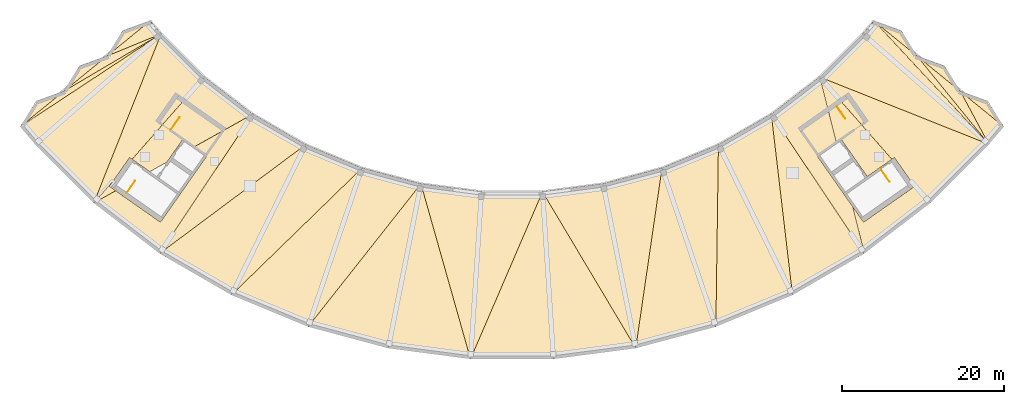
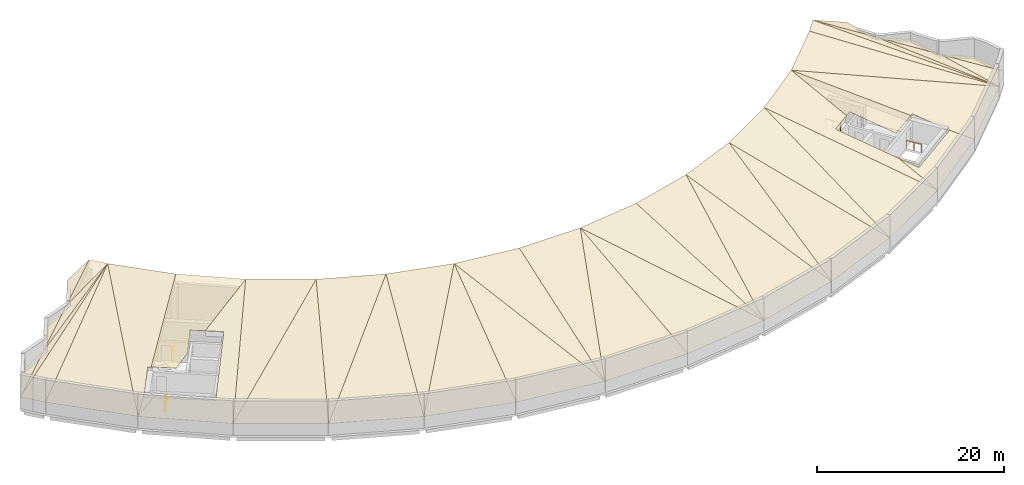
# One storey, part 6 of 6: 42 coverings, 4 railings.
"""IFC4 building model written with IfcOpenShell, lengths in metres."""

import ifcopenshell
import ifcopenshell.guid

model = None  # the IFC model being written
_history = None  # IfcOwnerHistory: only IFC2X3 demands one
_inside = {}  # id of a spatial element -> (the spatial element, [elements in it])
_under = {}  # id of a project, library or spatial element -> (it, [spatial elements below it])
_declared = {}  # id of a project -> (the project, [libraries it declares])
_typed = {}  # id of a type object -> (the type object, [elements of that type])
_made_of = {}  # id of a material, layer set ... -> (it, [elements and type objects made of it])


def new_model(schema):
    """Start an empty IFC model of exactly this schema.

    Asked for "IFC4X3", IfcOpenShell would pick the latest addendum, in which some entities
    have other attributes; the version numbers below select the first issue.
    IFC2X3 requires an IfcOwnerHistory on every rooted entity: one is made here for all.
    """
    global model, _history
    if schema == "IFC4X3":
        model = ifcopenshell.file(schema_version=(4, 3, 0, 0))
    else:
        model = ifcopenshell.file(schema=schema)
    _inside.clear()
    _under.clear()
    _declared.clear()
    _typed.clear()
    _made_of.clear()
    _history = None
    if model.schema == "IFC2X3":
        org = make("IfcOrganization", Name="unknown")
        user = make(
            "IfcPersonAndOrganization",
            ThePerson=make("IfcPerson", FamilyName="unknown"),
            TheOrganization=org,
        )
        app = make(
            "IfcApplication",
            ApplicationDeveloper=org,
            Version="unknown",
            ApplicationFullName="unknown",
            ApplicationIdentifier="unknown",
        )
        _history = make(
            "IfcOwnerHistory",
            OwningUser=user,
            OwningApplication=app,
            ChangeAction="ADDED",
            CreationDate=0,
        )
    return model


def make(cls, **values):
    """One entity of the class cls with the attributes given. An attribute that is None is left unset."""
    return model.create_entity(
        cls, **{name: value for name, value in values.items() if value is not None}
    )


def rooted(cls, **values):
    """An entity with a GlobalId (a new one), such as an element, a storey or a relation."""
    return make(cls, GlobalId=ifcopenshell.guid.new(), OwnerHistory=_history, **values)


def si_unit(unit_type, name, prefix=None):
    """IfcSIUnit, for example si_unit("LENGTHUNIT", "METRE", prefix="MILLI")."""
    return make("IfcSIUnit", UnitType=unit_type, Prefix=prefix, Name=name)


def assignment(units):
    """IfcUnitAssignment: the units of a project."""
    return None if units is None else make("IfcUnitAssignment", Units=units)


def point(xyz):
    """IfcCartesianPoint."""
    return None if xyz is None else make("IfcCartesianPoint", Coordinates=xyz)


def direction(xyz):
    """IfcDirection."""
    return None if xyz is None else make("IfcDirection", DirectionRatios=xyz)


def frame(location, z_axis=None, x_axis=None):
    """IfcAxis2Placement3D, a coordinate frame: its origin and axes. An axis left out is left unset."""
    return make(
        "IfcAxis2Placement3D",
        Location=point(location),
        Axis=direction(z_axis),
        RefDirection=direction(x_axis),
    )


def frame_2d(location, x_axis=None):
    """IfcAxis2Placement2D, a coordinate frame in the plane: its origin and x axis."""
    return make(
        "IfcAxis2Placement2D", Location=point(location), RefDirection=direction(x_axis)
    )


def origin():
    """The frame at (0, 0, 0) with its axes left unset."""
    return frame((0.0, 0.0, 0.0))


def origin_2d():
    """The frame at (0, 0) in the plane with its x axis left unset."""
    return frame_2d((0.0, 0.0))


def place(relative_to, where):
    """IfcLocalPlacement: puts the frame where relative to a parent placement (None: the world)."""
    return make(
        "IfcLocalPlacement", PlacementRelTo=relative_to, RelativePlacement=where
    )


def context(
    kind, dimensions, precision=None, world=None, true_north=None, identifier=None
):
    """IfcGeometricRepresentationContext, for example the 3D "Model" context."""
    return make(
        "IfcGeometricRepresentationContext",
        ContextIdentifier=identifier,
        ContextType=kind,
        CoordinateSpaceDimension=dimensions,
        Precision=precision,
        WorldCoordinateSystem=world,
        TrueNorth=true_north,
    )


def subcontext(parent, identifier, kind, view, scale=None):
    """IfcGeometricRepresentationSubContext, for example "Body" below "Model"."""
    return make(
        "IfcGeometricRepresentationSubContext",
        ContextIdentifier=identifier,
        ContextType=kind,
        ParentContext=parent,
        TargetScale=scale,
        TargetView=view,
    )


def project(units=None, contexts=None):
    """IfcProject with its units and contexts."""
    return rooted(
        "IfcProject",
        Name="project",
        RepresentationContexts=contexts,
        UnitsInContext=assignment(units),
    )


def spatial(cls, under=None, at=None, **own):
    """A site, building, storey or space (cls), placed at a placement, below another one or the project."""
    s = rooted(cls, ObjectPlacement=at, **own)
    if under is not None:
        _under.setdefault(under.id(), (under, []))[1].append(s)
    return s


def polyline(points):
    """IfcPolyline through the points."""
    return make("IfcPolyline", Points=[point(p) for p in points])


def profile(cls, at=None, kind="AREA", **sizes):
    """A parametric profile (cls). Its sizes go by their IFC names, for example OverallWidth=200.0."""
    return make(cls, ProfileType=kind, Position=at, **sizes)


def circle(**sizes):
    """IfcCircleProfileDef."""
    return profile("IfcCircleProfileDef", **sizes)


def outline(outer, holes=None, kind="AREA"):
    """IfcArbitraryClosedProfileDef: a profile drawn as a closed curve; with holes, ...WithVoids."""
    if holes is None:
        return make("IfcArbitraryClosedProfileDef", ProfileType=kind, OuterCurve=outer)
    return make(
        "IfcArbitraryProfileDefWithVoids",
        ProfileType=kind,
        OuterCurve=outer,
        InnerCurves=holes,
    )


def extrude(swept, where, along, depth):
    """IfcExtrudedAreaSolid: the profile swept, set in the frame where, extruded along a direction by depth."""
    return make(
        "IfcExtrudedAreaSolid",
        SweptArea=swept,
        Position=where,
        ExtrudedDirection=direction(along),
        Depth=depth,
    )


def shape(context_of_items, identifier, shape_type, items):
    """IfcShapeRepresentation: the items that make up one representation, for example the "Body"."""
    return make(
        "IfcShapeRepresentation",
        ContextOfItems=context_of_items,
        RepresentationIdentifier=identifier,
        RepresentationType=shape_type,
        Items=items,
    )


def material(Name=None, Category=None):
    """IfcMaterial."""
    return make("IfcMaterial", Name=Name, Category=Category)


def layer(
    of_material, thickness, ventilated=None, Name=None, Category=None, Priority=None
):
    """IfcMaterialLayer: one layer of a wall or slab, of a material (None: an air gap)."""
    return make(
        "IfcMaterialLayer",
        Material=of_material,
        LayerThickness=thickness,
        IsVentilated=ventilated,
        Name=Name,
        Category=Category,
        Priority=Priority,
    )


def layer_set(layers, Name=None):
    """IfcMaterialLayerSet."""
    return make("IfcMaterialLayerSet", MaterialLayers=layers, LayerSetName=Name)


def made_of(thing, what):
    """Note that an element or type object is made of a material, layer set ...; save() writes the relation."""
    if what is not None:
        _made_of.setdefault(what.id(), (what, []))[1].append(thing)
    return thing


def type_object(cls, material=None, **own):
    """A type object (cls), such as IfcWallType, which elements share."""
    return made_of(rooted(cls, **own), material)


def element(
    cls,
    number,
    at=None,
    inside=None,
    cuts=None,
    type_object=None,
    material=None,
    context=None,
    identifier="Body",
    shape_type=None,
    held_by="IfcProductDefinitionShape",
    body=None,
    shapes=None,
    **own,
):
    """One element of the class cls, such as IfcWall. Its Tag is "e" and its number.

    at: its placement. inside: the storey or other place that contains it. cuts: it is an
    opening in that element (IfcRelVoidsElement). A single representation is given by context,
    identifier, shape_type and body (its items); several are given by shapes. held_by: the class
    of the entity that holds the representations. save() writes the other relations.
    """
    e = rooted(cls, Tag="e%d" % number, ObjectPlacement=at, **own)
    if body is not None:
        shapes = [shape(context, identifier, shape_type, body)]
    if shapes is not None:
        e.Representation = make(held_by, Representations=shapes)
    if inside is not None:
        _inside.setdefault(inside.id(), (inside, []))[1].append(e)
    if cuts is not None:
        rooted(
            "IfcRelVoidsElement", RelatingBuildingElement=cuts, RelatedOpeningElement=e
        )
    if type_object is not None:
        _typed.setdefault(type_object.id(), (type_object, []))[1].append(e)
    return made_of(e, material)


def aggregate(whole, parts):
    """IfcRelAggregates: a whole, such as a stair, and the parts it consists of."""
    return rooted("IfcRelAggregates", RelatingObject=whole, RelatedObjects=parts)


def save(model, path):
    """Write the relations noted so far, then the file.

    IfcRelAggregates (storeys below a building ...), IfcRelContainedInSpatialStructure (elements
    in a storey), IfcRelDefinesByType, IfcRelAssociatesMaterial and IfcRelDeclares: one each for
    every whole, place, type object, material and project.
    """
    for whole, parts in _under.values():
        aggregate(whole, parts)
    for where, things in _inside.values():
        rooted(
            "IfcRelContainedInSpatialStructure",
            RelatedElements=things,
            RelatingStructure=where,
        )
    for kind, things in _typed.values():
        rooted("IfcRelDefinesByType", RelatedObjects=things, RelatingType=kind)
    for what, things in _made_of.values():
        rooted("IfcRelAssociatesMaterial", RelatedObjects=things, RelatingMaterial=what)
    for by, libraries in _declared.values():
        rooted("IfcRelDeclares", RelatingContext=by, RelatedDefinitions=libraries)
    model.write(path)


model = new_model("IFC4")

# Units and contexts
model_context = context("Model", 3, precision=1e-05, world=origin(), true_north=direction((0.0, 1.0)))
body_context = subcontext(model_context, "Body", "Model", "MODEL_VIEW")
ifc_project = project(units=[si_unit("LENGTHUNIT", "METRE"), si_unit("AREAUNIT", "SQUARE_METRE"), si_unit("VOLUMEUNIT", "CUBIC_METRE"), si_unit("PLANEANGLEUNIT", "RADIAN"), si_unit("MASSUNIT", "GRAM", prefix="KILO")], contexts=[model_context])

# Site, building, storey
site_placement = place(None, origin())
site = spatial("IfcSite", under=ifc_project, at=site_placement, CompositionType="ELEMENT")
building_placement = place(site_placement, origin())
building = spatial("IfcBuilding", under=site, at=building_placement, Name="Qamariyya Broadcast Tower", CompositionType="ELEMENT")
storey_placement = place(building_placement, frame((0.0, 0.0, 318.699951171875)))
storey = spatial("IfcBuildingStorey", under=building, at=storey_placement, Name="Roof", CompositionType="ELEMENT", Elevation=318.699951171875)

# Railings
ifc_material_1 = material(Name="Painted steel", Category="steel")
railing_type = type_object("IfcRailingType", Name="Stair guard", PredefinedType="GUARDRAIL", material=ifc_material_1)
railing_1_placement = place(storey_placement, frame((-42.10546875, -49.806884765625, 0.0)))
element("IfcRailing", 1, at=railing_1_placement, inside=storey, type_object=railing_type, Name="Roof ST-W2 top well guard 1", PredefinedType="GUARDRAIL", context=body_context, shape_type="SweptSolid", body=[
    extrude(circle(Radius=0.02392578125, at=origin_2d()), frame((0.0, 0.0, 1.076171875), z_axis=(0.573553363558, 0.819168199548, 0.0), x_axis=(-0.819168199548, 0.573553363558, 0.0)), (0.0, 0.0, 1.0), 1.800048828125),
    extrude(circle(Radius=0.02099609375, at=origin_2d()), origin(), (0.0, 0.0, 1.0), 1.052001953125),
    extrude(circle(Radius=0.02099609375, at=origin_2d()), frame((0.51611328125, 0.7373046875, 0.0)), (0.0, 0.0, 1.0), 1.052001953125),
    extrude(circle(Radius=0.02099609375, at=origin_2d()), frame((1.032470703125, 1.474609375, 0.0)), (0.0, 0.0, 1.0), 1.052001953125),
])
railing_2_placement = place(storey_placement, frame((-47.5830078125, -57.629638671875, 0.0)))
element("IfcRailing", 2, at=railing_2_placement, inside=storey, type_object=railing_type, Name="Roof ST-W1 top well guard 1", PredefinedType="GUARDRAIL", context=body_context, shape_type="SweptSolid", body=[
    extrude(circle(Radius=0.02392578125, at=origin_2d()), frame((0.0, 0.0, 1.076171875), z_axis=(0.573617089972, 0.819123576813, 0.0), x_axis=(-0.819123576813, 0.573617089972, 0.0)), (0.0, 0.0, 1.0), 1.800048828125),
    extrude(circle(Radius=0.02099609375, at=origin_2d()), origin(), (0.0, 0.0, 1.0), 1.052001953125),
    extrude(circle(Radius=0.02099609375, at=origin_2d()), frame((0.51611328125, 0.7373046875, 0.0)), (0.0, 0.0, 1.0), 1.052001953125),
    extrude(circle(Radius=0.02099609375, at=origin_2d()), frame((1.032470703125, 1.474365234375, 0.0)), (0.0, 0.0, 1.0), 1.052001953125),
])
railing_3_placement = place(storey_placement, frame((40.12646484375, -46.980712890625, 0.0)))
element("IfcRailing", 3, at=railing_3_placement, inside=storey, type_object=railing_type, Name="Roof ST-E2 top well guard 1", PredefinedType="GUARDRAIL", context=body_context, shape_type="SweptSolid", body=[
    extrude(circle(Radius=0.02392578125, at=origin_2d()), frame((0.0, 0.0, 1.076171875), z_axis=(0.573553363558, -0.819168199548, 0.0), x_axis=(0.819168199548, 0.573553363558, 0.0)), (0.0, 0.0, 1.0), 1.800048828125),
    extrude(circle(Radius=0.02099609375, at=origin_2d()), origin(), (0.0, 0.0, 1.0), 1.052001953125),
    extrude(circle(Radius=0.02099609375, at=origin_2d()), frame((0.51611328125, -0.7373046875, 0.0)), (0.0, 0.0, 1.0), 1.052001953125),
    extrude(circle(Radius=0.02099609375, at=origin_2d()), frame((1.032470703125, -1.474609375, 0.0)), (0.0, 0.0, 1.0), 1.052001953125),
])
railing_4_placement = place(storey_placement, frame((45.604248046875, -54.8037109375, 0.0)))
element("IfcRailing", 4, at=railing_4_placement, inside=storey, type_object=railing_type, Name="Roof ST-E1 top well guard 1", PredefinedType="GUARDRAIL", context=body_context, shape_type="SweptSolid", body=[
    extrude(circle(Radius=0.02392578125, at=origin_2d()), frame((0.0, 0.0, 1.076171875), z_axis=(0.573617089972, -0.819123576813, 0.0), x_axis=(0.819123576813, 0.573617089972, 0.0)), (0.0, 0.0, 1.0), 1.800048828125),
    extrude(circle(Radius=0.02099609375, at=origin_2d()), origin(), (0.0, 0.0, 1.0), 1.052001953125),
    extrude(circle(Radius=0.02099609375, at=origin_2d()), frame((0.51611328125, -0.7373046875, 0.0)), (0.0, 0.0, 1.0), 1.052001953125),
    extrude(circle(Radius=0.02099609375, at=origin_2d()), frame((1.032470703125, -1.474365234375, 0.0)), (0.0, 0.0, 1.0), 1.052001953125),
])

# Coverings
ifc_material_2 = material(Name="Zinc standing seam roofing")
ifc_layer = layer(ifc_material_2, 0.0400390625)
ifc_layer_set = layer_set([ifc_layer], Name="Standing seam zinc roofing, terracotta toned")
covering_type = type_object("IfcCoveringType", Name="Standing seam zinc roofing, terracotta toned", PredefinedType="ROOFING", material=ifc_layer_set)
covering_1_placement = place(storey_placement, frame((-58.822509765625, -46.367431640625, 2.2734375), z_axis=(-0.162172904329, -0.130102615524, 0.978147871508), x_axis=(-0.515298200847, -0.834205156408, -0.196391245286)))
element("IfcCovering", 5, at=covering_1_placement, inside=storey, type_object=covering_type, Name="e-cv-Roof-00", PredefinedType="ROOFING", context=body_context, shape_type="SweptSolid", body=[
    extrude(outline(polyline([(0.0, 0.0), (3.7343743934790465, -2.636779683484747e-16), (-2.9454752706163805, 2.2667066322327543), (0.0, 0.0)])), origin(), (0.0, 0.0, -1.0), 0.0400390625),
])
covering_2_placement = place(storey_placement, frame((-53.471923828125, -42.009033203125, 3.739990234375), z_axis=(-0.162368536659, -0.129899059878, 0.978142470475), x_axis=(-0.515405922879, -0.834152395853, -0.19633266451)))
element("IfcCovering", 6, at=covering_2_placement, inside=storey, type_object=covering_type, Name="e-cv-Roof-01", PredefinedType="ROOFING", context=body_context, shape_type="SweptSolid", body=[
    extrude(outline(polyline([(0.0, 0.0), (3.735488637765223, 1.1102230246251565e-16), (-2.9449988872346964, 2.266030244595668), (0.0, 0.0)])), origin(), (0.0, 0.0, -1.0), 0.0400390625),
])
covering_3_placement = place(storey_placement, frame((-48.12109375, -37.650634765625, 5.20654296875), z_axis=(-0.162534049653, -0.129650199, 0.978147999335), x_axis=(-0.515548278266, -0.834090465408, -0.196221987279)))
element("IfcCovering", 7, at=covering_3_placement, inside=storey, type_object=covering_type, Name="e-cv-Roof-02", PredefinedType="ROOFING", context=body_context, shape_type="SweptSolid", body=[
    extrude(outline(polyline([(0.0, 0.0), (3.736351399964874, -2.1510571102112408e-16), (-2.9442139360476536, 2.265173162552668), (0.0, 0.0)])), origin(), (0.0, 0.0, -1.0), 0.0400390625),
])
covering_4_placement = place(storey_placement, frame((-60.746826171875, -49.482666015625, 1.5400390625), z_axis=(-0.15881237007, -0.134234477202, 0.978140959291), x_axis=(0.645535170097, -0.763730544216, 0.0)))
element("IfcCovering", 8, at=covering_4_placement, inside=storey, type_object=covering_type, Name="e-cv-Roof-03", PredefinedType="ROOFING", context=body_context, shape_type="SweptSolid", body=[
    extrude(outline(polyline([(0.0, 0.0), (2.850484335886592, 0.0), (2.4733696250297204, 21.1591818069154), (0.0, 0.0)])), origin(), (0.0, 0.0, -1.0), 0.0400390625),
])
covering_5_placement = place(storey_placement, frame((-43.343505859375, -38.01123046875, 5.93994140625), z_axis=(-0.158799763851, -0.134233118476, 0.978143192434), x_axis=(-0.645561248047, 0.763708501341, 0.0)))
element("IfcCovering", 9, at=covering_5_placement, inside=storey, type_object=covering_type, Name="e-cv-Roof-04", PredefinedType="ROOFING", context=body_context, shape_type="SweptSolid", body=[
    extrude(outline(polyline([(0.0, 0.0), (2.0974058005285023, -2.220446049250313e-16), (2.223077330807058, 7.053025544513394), (0.0, 0.0)])), origin(), (0.0, 0.0, -1.0), 0.0400390625),
])
covering_6_placement = place(storey_placement, frame((-43.343505859375, -38.01123046875, 5.93994140625), z_axis=(-0.158759482269, -0.134327678363, 0.978136749956), x_axis=(-0.90652911684, -0.372661082738, -0.198314592842)))
element("IfcCovering", 10, at=covering_6_placement, inside=storey, type_object=covering_type, Name="e-cv-Roof-05", PredefinedType="ROOFING", context=body_context, shape_type="SweptSolid", body=[
    extrude(outline(polyline([(0.0, 0.0), (7.395082295032741, 5.134781488891349e-16), (14.159791020124553, 2.0006305270510523), (0.0, 0.0)])), origin(), (0.0, 0.0, -1.0), 0.0400390625),
])
covering_7_placement = place(storey_placement, frame((-60.746826171875, -49.482666015625, 1.5400390625), z_axis=(-0.158842601475, -0.134189117486, 0.978142274265), x_axis=(0.816932577987, 0.538482843862, 0.206536655077)))
element("IfcCovering", 11, at=covering_7_placement, inside=storey, type_object=covering_type, Name="e-cv-Roof-06", PredefinedType="ROOFING", context=body_context, shape_type="SweptSolid", body=[
    extrude(outline(polyline([(0.0, 0.0), (21.303251677622345, -1.0547118733938987e-15), (7.019695462886616, 0.69442501384441), (0.0, 0.0)])), origin(), (0.0, 0.0, -1.0), 0.0400390625),
])
covering_8_placement = place(storey_placement, frame((-43.343505859375, -38.01123046875, 5.93994140625), z_axis=(-0.147316328728, -0.147316328728, 0.978057155068), x_axis=(-0.735414125188, -0.644933742051, -0.207909915198)))
element("IfcCovering", 12, at=covering_8_placement, inside=storey, type_object=covering_type, Name="e-cv-Roof-07", PredefinedType="ROOFING", context=body_context, shape_type="SweptSolid", body=[
    extrude(outline(polyline([(0.0, 0.0), (21.16254214982794, -1.0130785099704553e-15), (20.50682445133023, 10.22790743644635), (0.0, 0.0)])), origin(), (0.0, 0.0, -1.0), 0.0400390625),
])
covering_9_placement = place(storey_placement, frame((-43.343505859375, -38.011474609375, 5.93994140625), z_axis=(-0.147327329052, -0.147312927774, 0.978056010372), x_axis=(-0.362897037703, -0.9118336726, -0.192002847739)))
element("IfcCovering", 13, at=covering_9_placement, inside=storey, type_object=covering_type, Name="e-cv-Roof-08", PredefinedType="ROOFING", context=body_context, shape_type="SweptSolid", body=[
    extrude(outline(polyline([(0.0, 0.0), (22.915398174634397, -5.551115123125783e-16), (19.305136780994335, 1.2549496932902364), (15.90319947696586, 2.0441442838046107), (15.985016335749386, 2.409426980002241), (2.926947291541576, 6.949395228981738), (0.0, 0.0)])), origin(), (0.0, 0.0, -1.0), 0.0400390625),
])
covering_10_placement = place(storey_placement, frame((-43.529052734375, -65.1455078125, 1.5400390625), z_axis=(-0.126836325689, -0.165289956847, 0.978055098985), x_axis=(0.543434580858, 0.813294749514, 0.207919471767)))
element("IfcCovering", 14, at=covering_10_placement, inside=storey, type_object=covering_type, Name="e-cv-Roof-09", PredefinedType="ROOFING", context=body_context, shape_type="SweptSolid", body=[
    extrude(outline(polyline([(0.0, 0.0), (21.162550619471112, 6.800116025829084e-16), (13.45135933192495, 3.8458054163578397), (13.412631454234106, 1.850697225576916), (7.790799063009091, 1.9705229511105966), (3.344669251424141, 2.0656222764250356), (3.4752272733807064, 8.821197690784956), (0.6558322539284802, 10.227321730259572), (0.0, 0.0)])), origin(), (0.0, 0.0, -1.0), 0.0400390625),
])
covering_11_placement = place(storey_placement, frame((-49.194580078125, -56.095458984375, 2.334716796875), z_axis=(-0.126873804938, -0.165252471505, 0.978056572128), x_axis=(-0.644882380669, -0.735457104358, -0.207917201673)))
element("IfcCovering", 15, at=covering_11_placement, inside=storey, type_object=covering_type, Name="e-cv-Roof-10", PredefinedType="ROOFING", context=body_context, shape_type="SweptSolid", body=[
    extrude(outline(polyline([(0.0, 0.0), (3.82215725250531, 9.194034422677078e-17), (0.8463801548801774, 1.0348544612478257), (0.9482311322381447, 0.10161816394217096), (0.0, 0.0)])), origin(), (0.0, 0.0, -1.0), 0.0400390625),
])
covering_12_placement = place(storey_placement, frame((-32.028564453125, -47.93408203125, 5.93994140625), z_axis=(-0.126817923437, -0.165295371735, 0.978056570132), x_axis=(-0.793371798092, 0.608737373529, 7.8794e-06)))
element("IfcCovering", 16, at=covering_12_placement, inside=storey, type_object=covering_type, Name="e-cv-Roof-11", PredefinedType="ROOFING", context=body_context, shape_type="SweptSolid", body=[
    extrude(outline(polyline([(0.0, 0.0), (7.541127470335922, 8.881784197001252e-16), (8.4257920501456, 13.796443289948781), (5.761229751949876, 13.677898424120192), (4.803343468287453, 11.403620164602716), (4.948371573102419, 8.01276530719351), (3.3448912782642255, 7.941309256345475), (0.0, 0.0)])), origin(), (0.0, 0.0, -1.0), 0.0400390625),
])
covering_13_placement = place(storey_placement, frame((-43.52880859375, -65.145751953125, 1.5400390625), z_axis=(-0.104168404346, -0.180424897403, 0.97805715576), x_axis=(0.866025318025, -0.50000014854, 0.0)))
element("IfcCovering", 17, at=covering_13_placement, inside=storey, type_object=covering_type, Name="e-cv-Roof-12", PredefinedType="ROOFING", context=body_context, shape_type="SweptSolid", body=[
    extrude(outline(polyline([(0.0, 0.0), (10.248532111616235, 0.0), (8.894513100472548, 21.11918521981607), (0.0, 0.0)])), origin(), (0.0, 0.0, -1.0), 0.0400390625),
])
covering_14_placement = place(storey_placement, frame((-43.52880859375, -65.145751953125, 1.5400390625), z_axis=(-0.104166289565, -0.18042764227, 0.978056874636), x_axis=(0.786827786569, 0.586546480753, 0.192003281739)))
element("IfcCovering", 18, at=covering_14_placement, inside=storey, type_object=covering_type, Name="e-cv-Roof-13", PredefinedType="ROOFING", context=body_context, shape_type="SweptSolid", body=[
    extrude(outline(polyline([(0.0, 0.0), (22.9157663551402, -1.4988010832439613e-15), (19.988808552244127, 6.949493939397727), (0.0, 0.0)])), origin(), (0.0, 0.0, -1.0), 0.0400390625),
])
covering_15_placement = place(storey_placement, frame((-34.6533203125, -70.27001953125, 1.5400390625), z_axis=(-0.079725868424, -0.192480599793, 0.978056749175), x_axis=(0.923883276933, -0.382674392405, 0.0)))
element("IfcCovering", 19, at=covering_15_placement, inside=storey, type_object=covering_type, Name="e-cv-Roof-14", PredefinedType="ROOFING", context=body_context, shape_type="SweptSolid", body=[
    extrude(outline(polyline([(0.0, 0.0), (10.248595353737198, 0.0), (8.895015247900195, 21.118991731601486), (0.0, 0.0)])), origin(), (0.0, 0.0, -1.0), 0.0400390625),
])
covering_16_placement = place(storey_placement, frame((-34.6533203125, -70.27001953125, 1.5400390625), z_axis=(-0.079730235928, -0.192476249275, 0.978057249318), x_axis=(0.703546306545, 0.684220277197, 0.192003142732)))
element("IfcCovering", 20, at=covering_16_placement, inside=storey, type_object=covering_type, Name="e-cv-Roof-15", PredefinedType="ROOFING", context=body_context, shape_type="SweptSolid", body=[
    extrude(outline(polyline([(0.0, 0.0), (22.91578294581769, -3.0531133177191805e-15), (19.98879733714135, 6.949916031588225), (0.0, 0.0)])), origin(), (0.0, 0.0, -1.0), 0.0400390625),
])
covering_17_placement = place(storey_placement, frame((-25.184814453125, -74.19189453125, 1.5400390625), z_axis=(-0.053922715221, -0.20123867987, 0.978056917826), x_axis=(0.965924658148, -0.258823404626, 0.0)))
element("IfcCovering", 21, at=covering_17_placement, inside=storey, type_object=covering_type, Name="e-cv-Roof-16", PredefinedType="ROOFING", context=body_context, shape_type="SweptSolid", body=[
    extrude(outline(polyline([(0.0, 0.0), (10.24863997310439, 0.0), (8.894666117765675, 21.11907198966546), (0.0, 0.0)])), origin(), (0.0, 0.0, -1.0), 0.0400390625),
])
covering_18_placement = place(storey_placement, frame((-11.2470703125, -56.542236328125, 5.93994140625), z_axis=(-0.0539204283, -0.201240427611, 0.978056684302), x_axis=(-0.965927964314, 0.258811065753, 0.0)))
element("IfcCovering", 22, at=covering_18_placement, inside=storey, type_object=covering_type, Name="e-cv-Roof-17", PredefinedType="ROOFING", context=body_context, shape_type="SweptSolid", body=[
    extrude(outline(polyline([(0.0, 0.0), (7.540868280014111, 0.0), (8.894929975166153, 21.11896085957099), (0.0, 0.0)])), origin(), (0.0, 0.0, -1.0), 0.0400390625),
])
covering_19_placement = place(storey_placement, frame((-11.2470703125, -56.542236328125, 5.93994140625), z_axis=(-0.02719171055, -0.206555757091, 0.978056915568), x_axis=(-0.190825442201, -0.959353250863, -0.207911016223)))
element("IfcCovering", 23, at=covering_19_placement, inside=storey, type_object=covering_type, Name="e-cv-Roof-18", PredefinedType="ROOFING", context=body_context, shape_type="SweptSolid", body=[
    extrude(outline(polyline([(0.0, 0.0), (21.16243008034788, -3.5388358909926865e-16), (20.506702921433025, 10.22780230760677), (0.0, 0.0)])), origin(), (0.0, 0.0, -1.0), 0.0400390625),
])
covering_20_placement = place(storey_placement, frame((-5.124267578125, -78.18212890625, 1.5400390625), z_axis=(-0.027195563713, -0.206556781534, 0.978056592083), x_axis=(0.063970403361, 0.976053377162, 0.207912463368)))
element("IfcCovering", 24, at=covering_20_placement, inside=storey, type_object=covering_type, Name="e-cv-Roof-19", PredefinedType="ROOFING", context=body_context, shape_type="SweptSolid", body=[
    extrude(outline(polyline([(0.0, 0.0), (21.16228278229437, -8.326672684688674e-17), (21.644806606559182, 7.525632977766596), (0.0, 0.0)])), origin(), (0.0, 0.0, -1.0), 0.0400390625),
])
covering_21_placement = place(storey_placement, frame((-5.124267578125, -78.18212890625, 1.5400390625), z_axis=(0.0, -0.208339184482, 0.978056636504), x_axis=(1.0, 0.0, 0.0)))
element("IfcCovering", 25, at=covering_21_placement, inside=storey, type_object=covering_type, Name="e-cv-Roof-20", PredefinedType="ROOFING", context=body_context, shape_type="SweptSolid", body=[
    extrude(outline(polyline([(0.0, 0.0), (10.24853515625, 0.0), (8.894775390625, 21.118938113805996), (0.0, 0.0)])), origin(), (0.0, 0.0, -1.0), 0.0400390625),
])
covering_22_placement = place(storey_placement, frame((-5.124267578125, -78.18212890625, 1.5400390625), z_axis=(0.0, -0.208339184482, 0.978056636504), x_axis=(0.388153035387, 0.901372040702, 0.19200433683)))
element("IfcCovering", 26, at=covering_22_placement, inside=storey, type_object=covering_type, Name="e-cv-Roof-21", PredefinedType="ROOFING", context=body_context, shape_type="SweptSolid", body=[
    extrude(outline(polyline([(0.0, 0.0), (22.91564042972476, -1.2212453270876722e-15), (19.988572324983412, 6.9497617920832395), (0.0, 0.0)])), origin(), (0.0, 0.0, -1.0), 0.0400390625),
])
covering_23_placement = place(storey_placement, frame((3.7705078125, -57.526611328125, 5.93994140625), z_axis=(0.027191878587, -0.206557033546, 0.978056641321), x_axis=(0.063970403361, -0.976053377162, -0.207912463368)))
element("IfcCovering", 27, at=covering_23_placement, inside=storey, type_object=covering_type, Name="e-cv-Roof-22", PredefinedType="ROOFING", context=body_context, shape_type="SweptSolid", body=[
    extrude(outline(polyline([(0.0, 0.0), (21.16228278229437, -1.249000902703301e-16), (20.506680178392003, 10.227810292344172), (0.0, 0.0)])), origin(), (0.0, 0.0, -1.0), 0.0400390625),
])
covering_24_placement = place(storey_placement, frame((15.285400390625, -76.844482421875, 1.5400390625), z_axis=(0.02719533531, -0.206555046758, 0.978056964801), x_axis=(-0.190825442201, 0.959353250863, 0.207911016223)))
element("IfcCovering", 28, at=covering_24_placement, inside=storey, type_object=covering_type, Name="e-cv-Roof-23", PredefinedType="ROOFING", context=body_context, shape_type="SweptSolid", body=[
    extrude(outline(polyline([(0.0, 0.0), (21.16243008034788, 4.649058915617843e-16), (21.64478506923338, 7.5256438011460896), (0.0, 0.0)])), origin(), (0.0, 0.0, -1.0), 0.0400390625),
])
covering_25_placement = place(storey_placement, frame((15.285400390625, -76.844482421875, 1.5400390625), z_axis=(0.053922955777, -0.20123957762, 0.978056719848), x_axis=(0.965924658148, 0.258823404626, 0.0)))
element("IfcCovering", 29, at=covering_25_placement, inside=storey, type_object=covering_type, Name="e-cv-Roof-24", PredefinedType="ROOFING", context=body_context, shape_type="SweptSolid", body=[
    extrude(outline(polyline([(0.0, 0.0), (10.24863997310439, 4.440892098500626e-16), (8.894842134737573, 21.11897777533759), (0.0, 0.0)])), origin(), (0.0, 0.0, -1.0), 0.0400390625),
])
covering_26_placement = place(storey_placement, frame((15.285400390625, -76.844482421875, 1.5400390625), z_axis=(0.053920101381, -0.201239207493, 0.97805695337), x_axis=(0.141632376913, 0.971120386672, 0.192003813505)))
element("IfcCovering", 30, at=covering_26_placement, inside=storey, type_object=covering_type, Name="e-cv-Roof-25", PredefinedType="ROOFING", context=body_context, shape_type="SweptSolid", body=[
    extrude(outline(polyline([(0.0, 0.0), (22.915702888567605, -2.7755575615628914e-16), (19.988764818190116, 6.949656678476852), (0.0, 0.0)])), origin(), (0.0, 0.0, -1.0), 0.0400390625),
])
covering_27_placement = place(storey_placement, frame((25.184814453125, -74.19189453125, 1.5400390625), z_axis=(0.079725106653, -0.192478760665, 0.978057173207), x_axis=(0.923883276933, 0.382674392405, 0.0)))
element("IfcCovering", 31, at=covering_27_placement, inside=storey, type_object=covering_type, Name="e-cv-Roof-26", PredefinedType="ROOFING", context=body_context, shape_type="SweptSolid", body=[
    extrude(outline(polyline([(0.0, 0.0), (10.248595353737198, 0.0), (8.894705854487409, 21.119193522842142), (0.0, 0.0)])), origin(), (0.0, 0.0, -1.0), 0.0400390625),
])
covering_28_placement = place(storey_placement, frame((25.184814453125, -74.19189453125, 1.5400390625), z_axis=(0.079731271264, -0.192478748672, 0.978056673047), x_axis=(0.013668811672, 0.981299224867, 0.192002590769)))
element("IfcCovering", 32, at=covering_28_placement, inside=storey, type_object=covering_type, Name="e-cv-Roof-27", PredefinedType="ROOFING", context=body_context, shape_type="SweptSolid", body=[
    extrude(outline(polyline([(0.0, 0.0), (22.915848823316797, -5.551115123125783e-17), (19.988601504994516, 6.949805805697053), (0.0, 0.0)])), origin(), (0.0, 0.0, -1.0), 0.0400390625),
])
covering_29_placement = place(storey_placement, frame((34.6533203125, -70.27001953125, 1.5400390625), z_axis=(0.104168963778, -0.180425866367, 0.978056917429), x_axis=(0.866025318025, 0.50000014854, 0.0)))
element("IfcCovering", 33, at=covering_29_placement, inside=storey, type_object=covering_type, Name="e-cv-Roof-28", PredefinedType="ROOFING", context=body_context, shape_type="SweptSolid", body=[
    extrude(outline(polyline([(0.0, 0.0), (10.248532111616235, 8.881784197001252e-16), (8.894744969578486, 21.119071800769248), (0.0, 0.0)])), origin(), (0.0, 0.0, -1.0), 0.0400390625),
])
covering_30_placement = place(storey_placement, frame((32.028564453125, -47.934326171875, 5.93994140625), z_axis=(0.104165529266, -0.180426325348, 0.978057198549), x_axis=(-0.86603300708, -0.499986830474, 0.0)))
element("IfcCovering", 34, at=covering_30_placement, inside=storey, type_object=covering_type, Name="e-cv-Roof-29", PredefinedType="ROOFING", context=body_context, shape_type="SweptSolid", body=[
    extrude(outline(polyline([(0.0, 0.0), (7.540725959326462, 0.0), (8.894427319441661, 21.1192055830483), (0.0, 0.0)])), origin(), (0.0, 0.0, -1.0), 0.0400390625),
])
covering_31_placement = place(storey_placement, frame((46.927490234375, -53.510498046875, 3.065673828125), z_axis=(0.126823578146, -0.16529522016, 0.978055862524), x_axis=(-0.644929006559, 0.735416672709, 0.207915593453)))
element("IfcCovering", 35, at=covering_31_placement, inside=storey, type_object=covering_type, Name="e-cv-Roof-30", PredefinedType="ROOFING", context=body_context, shape_type="SweptSolid", body=[
    extrude(outline(polyline([(0.0, 0.0), (13.82477771473076, 8.465450562766819e-16), (6.077549808136342, 3.863834396422626), (5.994348532876296, 3.10018867808265), (0.40319989650029286, 3.6994167405592693), (0.0, 0.0)])), origin(), (0.0, 0.0, -1.0), 0.0400390625),
])
covering_32_placement = place(storey_placement, frame((43.529052734375, -65.1455078125, 1.5400390625), z_axis=(0.12683241555, -0.165293014409, 0.978055089324), x_axis=(0.793354117086, 0.608760416668, 8.43784e-07)))
element("IfcCovering", 36, at=covering_32_placement, inside=storey, type_object=covering_type, Name="e-cv-Roof-31", PredefinedType="ROOFING", context=body_context, shape_type="SweptSolid", body=[
    extrude(outline(polyline([(0.0, 0.0), (10.248715323092469, -8.881784197001252e-16), (10.004081609639877, 3.814635987044438), (9.96326571129224, 2.8618492357321488), (2.2753363994476556, 3.2056905748158786), (2.379468321197195, 5.650509342560627), (0.0, 0.0)])), origin(), (0.0, 0.0, -1.0), 0.0400390625),
])
covering_33_placement = place(storey_placement, frame((32.028564453125, -47.93408203125, 5.93994140625), z_axis=(0.126815379412, -0.165287039433, 0.978058308149), x_axis=(0.543436410089, -0.81329713343, -0.207905365356)))
element("IfcCovering", 37, at=covering_33_placement, inside=storey, type_object=covering_type, Name="e-cv-Roof-32", PredefinedType="ROOFING", context=body_context, shape_type="SweptSolid", body=[
    extrude(outline(polyline([(0.0, 0.0), (21.162550620278314, 6.591949208711867e-16), (15.371408483589816, 2.013156246565565), (13.37175155670093, 1.970522950723482), (7.749919164953474, 1.850697224857935), (7.694949182855949, 4.682554602208367), (-0.4821712241786562, 7.5256969402638685), (0.0, 0.0)])), origin(), (0.0, 0.0, -1.0), 0.0400390625),
])
covering_34_placement = place(storey_placement, frame((58.906494140625, -51.659423828125, 1.5400390625), z_axis=(0.147323932297, -0.147311556194, 0.978056728613), x_axis=(-0.911833057929, 0.362896422991, 0.192006928644)))
element("IfcCovering", 38, at=covering_34_placement, inside=storey, type_object=covering_type, Name="e-cv-Roof-33", PredefinedType="ROOFING", context=body_context, shape_type="SweptSolid", body=[
    extrude(outline(polyline([(0.0, 0.0), (22.91539817477893, -1.4432899320127035e-15), (10.544035995689779, 6.170403285576274), (10.339859011601632, 5.856656244849839), (7.398406638530996, 7.739171439579586), (3.9777371595205193, 9.445135591372345), (0.0, 0.0)])), origin(), (0.0, 0.0, -1.0), 0.0400390625),
])
covering_35_placement = place(storey_placement, frame((58.90673828125, -51.65966796875, 1.5400390625), z_axis=(0.147316328728, -0.147316328728, 0.978057155068), x_axis=(-0.735414125188, 0.644933742051, 0.207909915198)))
element("IfcCovering", 39, at=covering_35_placement, inside=storey, type_object=covering_type, Name="e-cv-Roof-34", PredefinedType="ROOFING", context=body_context, shape_type="SweptSolid", body=[
    extrude(outline(polyline([(0.0, 0.0), (21.16254214982794, 1.0130785099704553e-15), (21.645008470165113, 7.525526422295673), (0.0, 0.0)])), origin(), (0.0, 0.0, -1.0), 0.0400390625),
])
covering_36_placement = place(storey_placement, frame((58.90673828125, -51.65966796875, 1.5400390625), z_axis=(0.158808359439, -0.134231087259, 0.978142075665), x_axis=(0.645535170097, 0.763730544216, 0.0)))
element("IfcCovering", 40, at=covering_36_placement, inside=storey, type_object=covering_type, Name="e-cv-Roof-35", PredefinedType="ROOFING", context=body_context, shape_type="SweptSolid", body=[
    extrude(outline(polyline([(0.0, 0.0), (2.850484335886592, 2.220446049250313e-16), (2.725205975667734, 7.052847355783664), (0.0, 0.0)])), origin(), (0.0, 0.0, -1.0), 0.0400390625),
])
covering_37_placement = place(storey_placement, frame((58.90673828125, -51.65966796875, 1.5400390625), z_axis=(0.158863173347, -0.134200590324, 0.978137359327), x_axis=(-0.464158251244, 0.864254591498, 0.193961642798)))
element("IfcCovering", 41, at=covering_37_placement, inside=storey, type_object=covering_type, Name="e-cv-Roof-36", PredefinedType="ROOFING", context=body_context, shape_type="SweptSolid", body=[
    extrude(outline(polyline([(0.0, 0.0), (7.561045128406505, -1.942890293094024e-16), (14.095069974029684, 2.6590084538942027), (0.0, 0.0)])), origin(), (0.0, 0.0, -1.0), 0.0400390625),
])
covering_38_placement = place(storey_placement, frame((58.90673828125, -51.65966796875, 1.5400390625), z_axis=(0.158749960142, -0.134294162643, 0.978142897554), x_axis=(-0.617649821508, 0.759398821549, 0.204504591199)))
element("IfcCovering", 42, at=covering_38_placement, inside=storey, type_object=covering_type, Name="e-cv-Roof-37", PredefinedType="ROOFING", context=body_context, shape_type="SweptSolid", body=[
    extrude(outline(polyline([(0.0, 0.0), (14.343685841884366, 5.967448757360216e-16), (21.257145115287017, 1.4018001070352097), (0.0, 0.0)])), origin(), (0.0, 0.0, -1.0), 0.0400390625),
])
covering_39_placement = place(storey_placement, frame((58.90673828125, -51.65966796875, 1.5400390625), z_axis=(0.158807691964, -0.134239820094, 0.978140985581), x_axis=(-0.66699609965, 0.715862465673, 0.206536033881)))
element("IfcCovering", 43, at=covering_39_placement, inside=storey, type_object=covering_type, Name="e-cv-Roof-38", PredefinedType="ROOFING", context=body_context, shape_type="SweptSolid", body=[
    extrude(outline(polyline([(0.0, 0.0), (21.303315751132608, 6.661338147750939e-16), (21.059757824222817, 2.0832164141850518), (0.0, 0.0)])), origin(), (0.0, 0.0, -1.0), 0.0400390625),
])
covering_40_placement = place(storey_placement, frame((48.12109375, -37.650634765625, 5.20654296875), z_axis=(0.162534049653, -0.129650199, 0.978147999335), x_axis=(-0.921617691842, 0.334129954027, 0.19742847795)))
element("IfcCovering", 44, at=covering_40_placement, inside=storey, type_object=covering_type, Name="e-cv-Roof-39", PredefinedType="ROOFING", context=body_context, shape_type="SweptSolid", body=[
    extrude(outline(polyline([(0.0, 0.0), (3.714755060238302, 4.163336342344337e-17), (-2.9613306081726023, 2.2783421194191975), (0.0, 0.0)])), origin(), (0.0, 0.0, -1.0), 0.0400390625),
])
covering_41_placement = place(storey_placement, frame((53.471923828125, -42.009033203125, 3.739990234375), z_axis=(0.162368536659, -0.129899059878, 0.978142470475), x_axis=(-0.921596573491, 0.334224122717, 0.197367655719)))
element("IfcCovering", 45, at=covering_41_placement, inside=storey, type_object=covering_type, Name="e-cv-Roof-40", PredefinedType="ROOFING", context=body_context, shape_type="SweptSolid", body=[
    extrude(outline(polyline([(0.0, 0.0), (3.7158998257805473, -1.1102230246251565e-16), (-2.9605238023836127, 2.277975895042165), (0.0, 0.0)])), origin(), (0.0, 0.0, -1.0), 0.0400390625),
])
covering_42_placement = place(storey_placement, frame((58.822509765625, -46.367431640625, 2.2734375), z_axis=(0.162172904329, -0.130102615524, 0.978147871508), x_axis=(-0.921597737883, 0.334284453891, 0.197260014744)))
element("IfcCovering", 46, at=covering_42_placement, inside=storey, type_object=covering_type, Name="e-cv-Roof-41", PredefinedType="ROOFING", context=body_context, shape_type="SweptSolid", body=[
    extrude(outline(polyline([(0.0, 0.0), (3.7166898614789736, 1.3877787807814457e-16), (-2.9594902553528013, 2.2774919405222507), (0.0, 0.0)])), origin(), (0.0, 0.0, -1.0), 0.0400390625),
])

save(model, "model.ifc")
